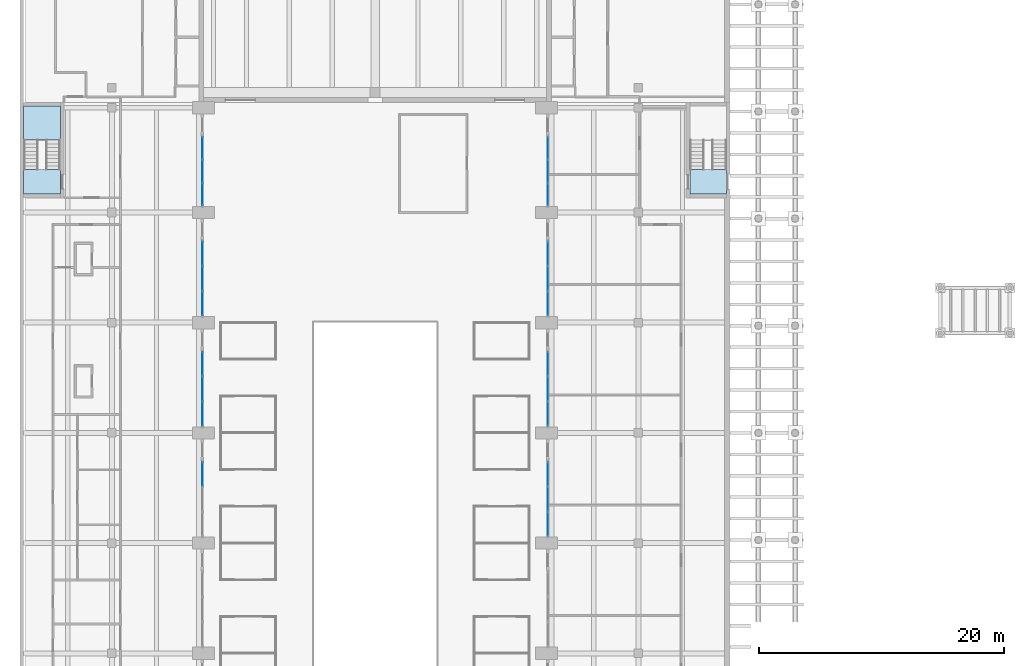
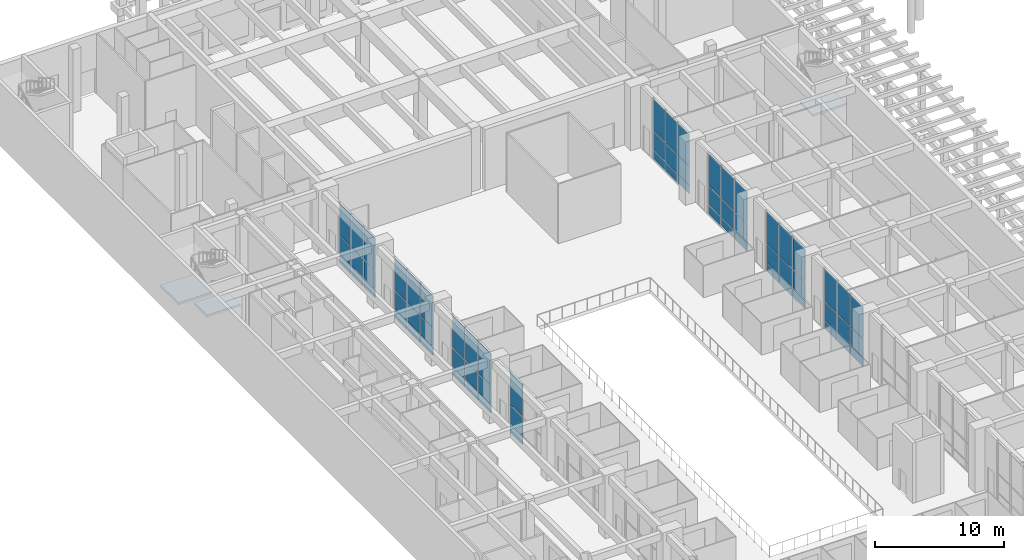
# One storey, part 26 of 51: 66 plates, 3 slabs, 10 elements without a shape of their own.
"""IFC4 building model written with IfcOpenShell, lengths in metres."""

import ifcopenshell
import ifcopenshell.guid

model = None  # the IFC model being written
_history = None  # IfcOwnerHistory: only IFC2X3 demands one
_inside = {}  # id of a spatial element -> (the spatial element, [elements in it])
_under = {}  # id of a project, library or spatial element -> (it, [spatial elements below it])
_declared = {}  # id of a project -> (the project, [libraries it declares])
_typed = {}  # id of a type object -> (the type object, [elements of that type])
_made_of = {}  # id of a material, layer set ... -> (it, [elements and type objects made of it])


def new_model(schema):
    """Start an empty IFC model of exactly this schema.

    Asked for "IFC4X3", IfcOpenShell would pick the latest addendum, in which some entities
    have other attributes; the version numbers below select the first issue.
    IFC2X3 requires an IfcOwnerHistory on every rooted entity: one is made here for all.
    """
    global model, _history
    if schema == "IFC4X3":
        model = ifcopenshell.file(schema_version=(4, 3, 0, 0))
    else:
        model = ifcopenshell.file(schema=schema)
    _inside.clear()
    _under.clear()
    _declared.clear()
    _typed.clear()
    _made_of.clear()
    _history = None
    if model.schema == "IFC2X3":
        org = make("IfcOrganization", Name="unknown")
        user = make(
            "IfcPersonAndOrganization",
            ThePerson=make("IfcPerson", FamilyName="unknown"),
            TheOrganization=org,
        )
        app = make(
            "IfcApplication",
            ApplicationDeveloper=org,
            Version="unknown",
            ApplicationFullName="unknown",
            ApplicationIdentifier="unknown",
        )
        _history = make(
            "IfcOwnerHistory",
            OwningUser=user,
            OwningApplication=app,
            ChangeAction="ADDED",
            CreationDate=0,
        )
    return model


def make(cls, **values):
    """One entity of the class cls with the attributes given. An attribute that is None is left unset."""
    return model.create_entity(
        cls, **{name: value for name, value in values.items() if value is not None}
    )


def rooted(cls, **values):
    """An entity with a GlobalId (a new one), such as an element, a storey or a relation."""
    return make(cls, GlobalId=ifcopenshell.guid.new(), OwnerHistory=_history, **values)


def si_unit(unit_type, name, prefix=None):
    """IfcSIUnit, for example si_unit("LENGTHUNIT", "METRE", prefix="MILLI")."""
    return make("IfcSIUnit", UnitType=unit_type, Prefix=prefix, Name=name)


def assignment(units):
    """IfcUnitAssignment: the units of a project."""
    return None if units is None else make("IfcUnitAssignment", Units=units)


def point(xyz):
    """IfcCartesianPoint."""
    return None if xyz is None else make("IfcCartesianPoint", Coordinates=xyz)


def direction(xyz):
    """IfcDirection."""
    return None if xyz is None else make("IfcDirection", DirectionRatios=xyz)


def frame(location, z_axis=None, x_axis=None):
    """IfcAxis2Placement3D, a coordinate frame: its origin and axes. An axis left out is left unset."""
    return make(
        "IfcAxis2Placement3D",
        Location=point(location),
        Axis=direction(z_axis),
        RefDirection=direction(x_axis),
    )


def frame_2d(location, x_axis=None):
    """IfcAxis2Placement2D, a coordinate frame in the plane: its origin and x axis."""
    return make(
        "IfcAxis2Placement2D", Location=point(location), RefDirection=direction(x_axis)
    )


def origin():
    """The frame at (0, 0, 0) with its axes left unset."""
    return frame((0.0, 0.0, 0.0))


def origin_2d():
    """The frame at (0, 0) in the plane with its x axis left unset."""
    return frame_2d((0.0, 0.0))


def place(relative_to, where):
    """IfcLocalPlacement: puts the frame where relative to a parent placement (None: the world)."""
    return make(
        "IfcLocalPlacement", PlacementRelTo=relative_to, RelativePlacement=where
    )


def context(
    kind, dimensions, precision=None, world=None, true_north=None, identifier=None
):
    """IfcGeometricRepresentationContext, for example the 3D "Model" context."""
    return make(
        "IfcGeometricRepresentationContext",
        ContextIdentifier=identifier,
        ContextType=kind,
        CoordinateSpaceDimension=dimensions,
        Precision=precision,
        WorldCoordinateSystem=world,
        TrueNorth=true_north,
    )


def subcontext(parent, identifier, kind, view, scale=None):
    """IfcGeometricRepresentationSubContext, for example "Body" below "Model"."""
    return make(
        "IfcGeometricRepresentationSubContext",
        ContextIdentifier=identifier,
        ContextType=kind,
        ParentContext=parent,
        TargetScale=scale,
        TargetView=view,
    )


def project(units=None, contexts=None):
    """IfcProject with its units and contexts."""
    return rooted(
        "IfcProject",
        Name="project",
        RepresentationContexts=contexts,
        UnitsInContext=assignment(units),
    )


def spatial(cls, under=None, at=None, **own):
    """A site, building, storey or space (cls), placed at a placement, below another one or the project."""
    s = rooted(cls, ObjectPlacement=at, **own)
    if under is not None:
        _under.setdefault(under.id(), (under, []))[1].append(s)
    return s


def polyline(points):
    """IfcPolyline through the points."""
    return make("IfcPolyline", Points=[point(p) for p in points])


def profile(cls, at=None, kind="AREA", **sizes):
    """A parametric profile (cls). Its sizes go by their IFC names, for example OverallWidth=200.0."""
    return make(cls, ProfileType=kind, Position=at, **sizes)


def rectangle(**sizes):
    """IfcRectangleProfileDef."""
    return profile("IfcRectangleProfileDef", **sizes)


def outline(outer, holes=None, kind="AREA"):
    """IfcArbitraryClosedProfileDef: a profile drawn as a closed curve; with holes, ...WithVoids."""
    if holes is None:
        return make("IfcArbitraryClosedProfileDef", ProfileType=kind, OuterCurve=outer)
    return make(
        "IfcArbitraryProfileDefWithVoids",
        ProfileType=kind,
        OuterCurve=outer,
        InnerCurves=holes,
    )


def extrude(swept, where, along, depth):
    """IfcExtrudedAreaSolid: the profile swept, set in the frame where, extruded along a direction by depth."""
    return make(
        "IfcExtrudedAreaSolid",
        SweptArea=swept,
        Position=where,
        ExtrudedDirection=direction(along),
        Depth=depth,
    )


def shape(context_of_items, identifier, shape_type, items):
    """IfcShapeRepresentation: the items that make up one representation, for example the "Body"."""
    return make(
        "IfcShapeRepresentation",
        ContextOfItems=context_of_items,
        RepresentationIdentifier=identifier,
        RepresentationType=shape_type,
        Items=items,
    )


def material(Name=None, Category=None):
    """IfcMaterial."""
    return make("IfcMaterial", Name=Name, Category=Category)


def layer(
    of_material, thickness, ventilated=None, Name=None, Category=None, Priority=None
):
    """IfcMaterialLayer: one layer of a wall or slab, of a material (None: an air gap)."""
    return make(
        "IfcMaterialLayer",
        Material=of_material,
        LayerThickness=thickness,
        IsVentilated=ventilated,
        Name=Name,
        Category=Category,
        Priority=Priority,
    )


def layer_set(layers, Name=None):
    """IfcMaterialLayerSet."""
    return make("IfcMaterialLayerSet", MaterialLayers=layers, LayerSetName=Name)


def made_of(thing, what):
    """Note that an element or type object is made of a material, layer set ...; save() writes the relation."""
    if what is not None:
        _made_of.setdefault(what.id(), (what, []))[1].append(thing)
    return thing


def type_object(cls, material=None, **own):
    """A type object (cls), such as IfcWallType, which elements share."""
    return made_of(rooted(cls, **own), material)


def element(
    cls,
    number,
    at=None,
    inside=None,
    cuts=None,
    type_object=None,
    material=None,
    context=None,
    identifier="Body",
    shape_type=None,
    held_by="IfcProductDefinitionShape",
    body=None,
    shapes=None,
    **own,
):
    """One element of the class cls, such as IfcWall. Its Tag is "e" and its number.

    at: its placement. inside: the storey or other place that contains it. cuts: it is an
    opening in that element (IfcRelVoidsElement). A single representation is given by context,
    identifier, shape_type and body (its items); several are given by shapes. held_by: the class
    of the entity that holds the representations. save() writes the other relations.
    """
    e = rooted(cls, Tag="e%d" % number, ObjectPlacement=at, **own)
    if body is not None:
        shapes = [shape(context, identifier, shape_type, body)]
    if shapes is not None:
        e.Representation = make(held_by, Representations=shapes)
    if inside is not None:
        _inside.setdefault(inside.id(), (inside, []))[1].append(e)
    if cuts is not None:
        rooted(
            "IfcRelVoidsElement", RelatingBuildingElement=cuts, RelatedOpeningElement=e
        )
    if type_object is not None:
        _typed.setdefault(type_object.id(), (type_object, []))[1].append(e)
    return made_of(e, material)


def aggregate(whole, parts):
    """IfcRelAggregates: a whole, such as a stair, and the parts it consists of."""
    return rooted("IfcRelAggregates", RelatingObject=whole, RelatedObjects=parts)


def save(model, path):
    """Write the relations noted so far, then the file.

    IfcRelAggregates (storeys below a building ...), IfcRelContainedInSpatialStructure (elements
    in a storey), IfcRelDefinesByType, IfcRelAssociatesMaterial and IfcRelDeclares: one each for
    every whole, place, type object, material and project.
    """
    for whole, parts in _under.values():
        aggregate(whole, parts)
    for where, things in _inside.values():
        rooted(
            "IfcRelContainedInSpatialStructure",
            RelatedElements=things,
            RelatingStructure=where,
        )
    for kind, things in _typed.values():
        rooted("IfcRelDefinesByType", RelatedObjects=things, RelatingType=kind)
    for what, things in _made_of.values():
        rooted("IfcRelAssociatesMaterial", RelatedObjects=things, RelatingMaterial=what)
    for by, libraries in _declared.values():
        rooted("IfcRelDeclares", RelatingContext=by, RelatedDefinitions=libraries)
    model.write(path)


model = new_model("IFC4")

# Units and contexts
model_context = context("Model", 3, precision=1e-05, world=origin(), true_north=direction((0.0, 1.0)))
body_context = subcontext(model_context, "Body", "Model", "MODEL_VIEW")
ifc_project = project(units=[si_unit("LENGTHUNIT", "METRE"), si_unit("AREAUNIT", "SQUARE_METRE"), si_unit("VOLUMEUNIT", "CUBIC_METRE"), si_unit("PLANEANGLEUNIT", "RADIAN"), si_unit("MASSUNIT", "GRAM", prefix="KILO")], contexts=[model_context])

# Site, building, storey
site_placement = place(None, origin())
site = spatial("IfcSite", under=ifc_project, at=site_placement, CompositionType="ELEMENT")
building_placement = place(site_placement, origin())
building = spatial("IfcBuilding", under=site, at=building_placement, Name="Elmora Arch Market Hall", CompositionType="ELEMENT")
storey_placement = place(building_placement, origin())
storey = spatial("IfcBuildingStorey", under=building, at=storey_placement, Name="L00", CompositionType="ELEMENT", Elevation=0.0)

# Curtain wall, plates
ifc_material_1 = material(Name="Aluminium", Category="aluminium")
curtain_wall_type = type_object("IfcCurtainWallType", Name="Shopfront curtain wall", PredefinedType="NOTDEFINED", material=ifc_material_1)
curtain_wall_1_placement = place(storey_placement, origin())
curtain_wall_1 = element("IfcCurtainWall", 1, at=curtain_wall_1_placement, inside=storey, type_object=curtain_wall_type, Name="Shopfront W 5", PredefinedType="NOTDEFINED")
ifc_material_2 = material(Name="Glass", Category="glass")
ifc_layer_1 = layer(ifc_material_2, 0.035888671875)
ifc_layer_set_1 = layer_set([ifc_layer_1], Name="Glass")
plate_type = type_object("IfcPlateType", Name="Laminated glass panel 36", PredefinedType="CURTAIN_PANEL", material=ifc_layer_set_1)
plate_1_placement = place(storey_placement, frame((14.89990234375, 68.6416015625, 0.074951171875), z_axis=(0.0, 0.0, 1.0), x_axis=(0.0, 1.0, 0.0)))
plate_1 = element("IfcPlate", 2, at=plate_1_placement, type_object=plate_type, Name="CW3 panel 3.1", PredefinedType="CURTAIN_PANEL", context=body_context, shape_type="SweptSolid", body=[
    extrude(rectangle(XDim=1.916748046875, YDim=0.035888671875, at=origin_2d()), origin(), (0.0, 0.0, 1.0), 0.78759765625),
])
plate_2_placement = place(storey_placement, frame((14.89990234375, 68.6416015625, 0.9375), z_axis=(0.0, 0.0, 1.0), x_axis=(0.0, 1.0, 0.0)))
plate_2 = element("IfcPlate", 3, at=plate_2_placement, type_object=plate_type, Name="CW3 panel 3.2", PredefinedType="CURTAIN_PANEL", context=body_context, shape_type="SweptSolid", body=[
    extrude(rectangle(XDim=1.916748046875, YDim=0.035888671875, at=origin_2d()), origin(), (0.0, 0.0, 1.0), 1.72509765625),
])
plate_3_placement = place(storey_placement, frame((14.89990234375, 68.6416015625, 2.7373046875), z_axis=(0.0, 0.0, 1.0), x_axis=(0.0, 1.0, 0.0)))
plate_3 = element("IfcPlate", 4, at=plate_3_placement, type_object=plate_type, Name="CW3 panel 3.3", PredefinedType="CURTAIN_PANEL", context=body_context, shape_type="SweptSolid", body=[
    extrude(rectangle(XDim=1.916748046875, YDim=0.035888671875, at=origin_2d()), origin(), (0.0, 0.0, 1.0), 2.987548828125),
])
aggregate(curtain_wall_1, [plate_1, plate_2, plate_3])

curtain_wall_2_placement = place(storey_placement, origin())
curtain_wall_2 = element("IfcCurtainWall", 5, at=curtain_wall_2_placement, inside=storey, type_object=curtain_wall_type, Name="Shopfront W 6", PredefinedType="NOTDEFINED")
plate_4_placement = place(storey_placement, frame((14.89990234375, 73.558349609375, 0.074951171875), z_axis=(0.0, 0.0, 1.0), x_axis=(0.0, 1.0, 0.0)))
plate_4 = element("IfcPlate", 6, at=plate_4_placement, type_object=plate_type, Name="CW3 panel 1.1", PredefinedType="CURTAIN_PANEL", context=body_context, shape_type="SweptSolid", body=[
    extrude(rectangle(XDim=1.916748046875, YDim=0.035888671875, at=origin_2d()), origin(), (0.0, 0.0, 1.0), 0.78759765625),
])
plate_5_placement = place(storey_placement, frame((14.89990234375, 73.558349609375, 0.9375), z_axis=(0.0, 0.0, 1.0), x_axis=(0.0, 1.0, 0.0)))
plate_5 = element("IfcPlate", 7, at=plate_5_placement, type_object=plate_type, Name="CW3 panel 1.2", PredefinedType="CURTAIN_PANEL", context=body_context, shape_type="SweptSolid", body=[
    extrude(rectangle(XDim=1.916748046875, YDim=0.035888671875, at=origin_2d()), origin(), (0.0, 0.0, 1.0), 1.72509765625),
])
plate_6_placement = place(storey_placement, frame((14.89990234375, 73.558349609375, 2.7373046875), z_axis=(0.0, 0.0, 1.0), x_axis=(0.0, 1.0, 0.0)))
plate_6 = element("IfcPlate", 8, at=plate_6_placement, type_object=plate_type, Name="CW3 panel 1.3", PredefinedType="CURTAIN_PANEL", context=body_context, shape_type="SweptSolid", body=[
    extrude(rectangle(XDim=1.916748046875, YDim=0.035888671875, at=origin_2d()), origin(), (0.0, 0.0, 1.0), 2.987548828125),
])
plate_7_placement = place(storey_placement, frame((14.89990234375, 75.60009765625, 0.074951171875), z_axis=(0.0, 0.0, 1.0), x_axis=(0.0, 1.0, 0.0)))
plate_7 = element("IfcPlate", 9, at=plate_7_placement, type_object=plate_type, Name="CW3 panel 2.1", PredefinedType="CURTAIN_PANEL", context=body_context, shape_type="SweptSolid", body=[
    extrude(rectangle(XDim=1.966552734375, YDim=0.035888671875, at=origin_2d()), origin(), (0.0, 0.0, 1.0), 0.78759765625),
])
plate_8_placement = place(storey_placement, frame((14.89990234375, 75.60009765625, 0.9375), z_axis=(0.0, 0.0, 1.0), x_axis=(0.0, 1.0, 0.0)))
plate_8 = element("IfcPlate", 10, at=plate_8_placement, type_object=plate_type, Name="CW3 panel 2.2", PredefinedType="CURTAIN_PANEL", context=body_context, shape_type="SweptSolid", body=[
    extrude(rectangle(XDim=1.966552734375, YDim=0.035888671875, at=origin_2d()), origin(), (0.0, 0.0, 1.0), 1.72509765625),
])
plate_9_placement = place(storey_placement, frame((14.89990234375, 75.60009765625, 2.7373046875), z_axis=(0.0, 0.0, 1.0), x_axis=(0.0, 1.0, 0.0)))
plate_9 = element("IfcPlate", 11, at=plate_9_placement, type_object=plate_type, Name="CW3 panel 2.3", PredefinedType="CURTAIN_PANEL", context=body_context, shape_type="SweptSolid", body=[
    extrude(rectangle(XDim=1.966552734375, YDim=0.035888671875, at=origin_2d()), origin(), (0.0, 0.0, 1.0), 2.987548828125),
])
plate_10_placement = place(storey_placement, frame((14.89990234375, 77.6416015625, 0.074951171875), z_axis=(0.0, 0.0, 1.0), x_axis=(0.0, 1.0, 0.0)))
plate_10 = element("IfcPlate", 12, at=plate_10_placement, type_object=plate_type, Name="CW3 panel 3.1", PredefinedType="CURTAIN_PANEL", context=body_context, shape_type="SweptSolid", body=[
    extrude(rectangle(XDim=1.916748046875, YDim=0.035888671875, at=origin_2d()), origin(), (0.0, 0.0, 1.0), 0.78759765625),
])
plate_11_placement = place(storey_placement, frame((14.89990234375, 77.6416015625, 0.9375), z_axis=(0.0, 0.0, 1.0), x_axis=(0.0, 1.0, 0.0)))
plate_11 = element("IfcPlate", 13, at=plate_11_placement, type_object=plate_type, Name="CW3 panel 3.2", PredefinedType="CURTAIN_PANEL", context=body_context, shape_type="SweptSolid", body=[
    extrude(rectangle(XDim=1.916748046875, YDim=0.035888671875, at=origin_2d()), origin(), (0.0, 0.0, 1.0), 1.72509765625),
])
plate_12_placement = place(storey_placement, frame((14.89990234375, 77.6416015625, 2.7373046875), z_axis=(0.0, 0.0, 1.0), x_axis=(0.0, 1.0, 0.0)))
plate_12 = element("IfcPlate", 14, at=plate_12_placement, type_object=plate_type, Name="CW3 panel 3.3", PredefinedType="CURTAIN_PANEL", context=body_context, shape_type="SweptSolid", body=[
    extrude(rectangle(XDim=1.916748046875, YDim=0.035888671875, at=origin_2d()), origin(), (0.0, 0.0, 1.0), 2.987548828125),
])
aggregate(curtain_wall_2, [plate_4, plate_5, plate_6, plate_7, plate_8, plate_9, plate_10, plate_11, plate_12])

curtain_wall_3_placement = place(storey_placement, origin())
curtain_wall_3 = element("IfcCurtainWall", 15, at=curtain_wall_3_placement, inside=storey, type_object=curtain_wall_type, Name="Shopfront W 7", PredefinedType="NOTDEFINED")
plate_13_placement = place(storey_placement, frame((14.89990234375, 82.558349609375, 0.074951171875), z_axis=(0.0, 0.0, 1.0), x_axis=(0.0, 1.0, 0.0)))
plate_13 = element("IfcPlate", 16, at=plate_13_placement, type_object=plate_type, Name="CW3 panel 1.1", PredefinedType="CURTAIN_PANEL", context=body_context, shape_type="SweptSolid", body=[
    extrude(rectangle(XDim=1.916748046875, YDim=0.035888671875, at=origin_2d()), origin(), (0.0, 0.0, 1.0), 0.78759765625),
])
plate_14_placement = place(storey_placement, frame((14.89990234375, 82.558349609375, 0.9375), z_axis=(0.0, 0.0, 1.0), x_axis=(0.0, 1.0, 0.0)))
plate_14 = element("IfcPlate", 17, at=plate_14_placement, type_object=plate_type, Name="CW3 panel 1.2", PredefinedType="CURTAIN_PANEL", context=body_context, shape_type="SweptSolid", body=[
    extrude(rectangle(XDim=1.916748046875, YDim=0.035888671875, at=origin_2d()), origin(), (0.0, 0.0, 1.0), 1.72509765625),
])
plate_15_placement = place(storey_placement, frame((14.89990234375, 82.558349609375, 2.7373046875), z_axis=(0.0, 0.0, 1.0), x_axis=(0.0, 1.0, 0.0)))
plate_15 = element("IfcPlate", 18, at=plate_15_placement, type_object=plate_type, Name="CW3 panel 1.3", PredefinedType="CURTAIN_PANEL", context=body_context, shape_type="SweptSolid", body=[
    extrude(rectangle(XDim=1.916748046875, YDim=0.035888671875, at=origin_2d()), origin(), (0.0, 0.0, 1.0), 2.987548828125),
])
plate_16_placement = place(storey_placement, frame((14.89990234375, 84.60009765625, 0.074951171875), z_axis=(0.0, 0.0, 1.0), x_axis=(0.0, 1.0, 0.0)))
plate_16 = element("IfcPlate", 19, at=plate_16_placement, type_object=plate_type, Name="CW3 panel 2.1", PredefinedType="CURTAIN_PANEL", context=body_context, shape_type="SweptSolid", body=[
    extrude(rectangle(XDim=1.966552734375, YDim=0.035888671875, at=origin_2d()), origin(), (0.0, 0.0, 1.0), 0.78759765625),
])
plate_17_placement = place(storey_placement, frame((14.89990234375, 84.60009765625, 0.9375), z_axis=(0.0, 0.0, 1.0), x_axis=(0.0, 1.0, 0.0)))
plate_17 = element("IfcPlate", 20, at=plate_17_placement, type_object=plate_type, Name="CW3 panel 2.2", PredefinedType="CURTAIN_PANEL", context=body_context, shape_type="SweptSolid", body=[
    extrude(rectangle(XDim=1.966552734375, YDim=0.035888671875, at=origin_2d()), origin(), (0.0, 0.0, 1.0), 1.72509765625),
])
plate_18_placement = place(storey_placement, frame((14.89990234375, 84.60009765625, 2.7373046875), z_axis=(0.0, 0.0, 1.0), x_axis=(0.0, 1.0, 0.0)))
plate_18 = element("IfcPlate", 21, at=plate_18_placement, type_object=plate_type, Name="CW3 panel 2.3", PredefinedType="CURTAIN_PANEL", context=body_context, shape_type="SweptSolid", body=[
    extrude(rectangle(XDim=1.966552734375, YDim=0.035888671875, at=origin_2d()), origin(), (0.0, 0.0, 1.0), 2.987548828125),
])
plate_19_placement = place(storey_placement, frame((14.89990234375, 86.6416015625, 0.074951171875), z_axis=(0.0, 0.0, 1.0), x_axis=(0.0, 1.0, 0.0)))
plate_19 = element("IfcPlate", 22, at=plate_19_placement, type_object=plate_type, Name="CW3 panel 3.1", PredefinedType="CURTAIN_PANEL", context=body_context, shape_type="SweptSolid", body=[
    extrude(rectangle(XDim=1.916748046875, YDim=0.035888671875, at=origin_2d()), origin(), (0.0, 0.0, 1.0), 0.78759765625),
])
plate_20_placement = place(storey_placement, frame((14.89990234375, 86.6416015625, 0.9375), z_axis=(0.0, 0.0, 1.0), x_axis=(0.0, 1.0, 0.0)))
plate_20 = element("IfcPlate", 23, at=plate_20_placement, type_object=plate_type, Name="CW3 panel 3.2", PredefinedType="CURTAIN_PANEL", context=body_context, shape_type="SweptSolid", body=[
    extrude(rectangle(XDim=1.916748046875, YDim=0.035888671875, at=origin_2d()), origin(), (0.0, 0.0, 1.0), 1.72509765625),
])
plate_21_placement = place(storey_placement, frame((14.89990234375, 86.6416015625, 2.7373046875), z_axis=(0.0, 0.0, 1.0), x_axis=(0.0, 1.0, 0.0)))
plate_21 = element("IfcPlate", 24, at=plate_21_placement, type_object=plate_type, Name="CW3 panel 3.3", PredefinedType="CURTAIN_PANEL", context=body_context, shape_type="SweptSolid", body=[
    extrude(rectangle(XDim=1.916748046875, YDim=0.035888671875, at=origin_2d()), origin(), (0.0, 0.0, 1.0), 2.987548828125),
])
aggregate(curtain_wall_3, [plate_13, plate_14, plate_15, plate_16, plate_17, plate_18, plate_19, plate_20, plate_21])

curtain_wall_4_placement = place(storey_placement, origin())
curtain_wall_4 = element("IfcCurtainWall", 25, at=curtain_wall_4_placement, inside=storey, type_object=curtain_wall_type, Name="Shopfront W 8", PredefinedType="NOTDEFINED")
plate_22_placement = place(storey_placement, frame((14.89990234375, 91.4833984375, 0.074951171875), z_axis=(0.0, 0.0, 1.0), x_axis=(0.0, 1.0, 0.0)))
plate_22 = element("IfcPlate", 26, at=plate_22_placement, type_object=plate_type, Name="CW3 panel 1.1", PredefinedType="CURTAIN_PANEL", context=body_context, shape_type="SweptSolid", body=[
    extrude(rectangle(XDim=1.7666015625, YDim=0.035888671875, at=origin_2d()), origin(), (0.0, 0.0, 1.0), 0.78759765625),
])
plate_23_placement = place(storey_placement, frame((14.89990234375, 91.4833984375, 0.9375), z_axis=(0.0, 0.0, 1.0), x_axis=(0.0, 1.0, 0.0)))
plate_23 = element("IfcPlate", 27, at=plate_23_placement, type_object=plate_type, Name="CW3 panel 1.2", PredefinedType="CURTAIN_PANEL", context=body_context, shape_type="SweptSolid", body=[
    extrude(rectangle(XDim=1.7666015625, YDim=0.035888671875, at=origin_2d()), origin(), (0.0, 0.0, 1.0), 1.72509765625),
])
plate_24_placement = place(storey_placement, frame((14.89990234375, 91.4833984375, 2.7373046875), z_axis=(0.0, 0.0, 1.0), x_axis=(0.0, 1.0, 0.0)))
plate_24 = element("IfcPlate", 28, at=plate_24_placement, type_object=plate_type, Name="CW3 panel 1.3", PredefinedType="CURTAIN_PANEL", context=body_context, shape_type="SweptSolid", body=[
    extrude(rectangle(XDim=1.7666015625, YDim=0.035888671875, at=origin_2d()), origin(), (0.0, 0.0, 1.0), 2.987548828125),
])
plate_25_placement = place(storey_placement, frame((14.89990234375, 93.375, 0.074951171875), z_axis=(0.0, 0.0, 1.0), x_axis=(0.0, 1.0, 0.0)))
plate_25 = element("IfcPlate", 29, at=plate_25_placement, type_object=plate_type, Name="CW3 panel 2.1", PredefinedType="CURTAIN_PANEL", context=body_context, shape_type="SweptSolid", body=[
    extrude(rectangle(XDim=1.816650390625, YDim=0.035888671875, at=origin_2d()), origin(), (0.0, 0.0, 1.0), 0.78759765625),
])
plate_26_placement = place(storey_placement, frame((14.89990234375, 93.375, 0.9375), z_axis=(0.0, 0.0, 1.0), x_axis=(0.0, 1.0, 0.0)))
plate_26 = element("IfcPlate", 30, at=plate_26_placement, type_object=plate_type, Name="CW3 panel 2.2", PredefinedType="CURTAIN_PANEL", context=body_context, shape_type="SweptSolid", body=[
    extrude(rectangle(XDim=1.816650390625, YDim=0.035888671875, at=origin_2d()), origin(), (0.0, 0.0, 1.0), 1.72509765625),
])
plate_27_placement = place(storey_placement, frame((14.89990234375, 93.375, 2.7373046875), z_axis=(0.0, 0.0, 1.0), x_axis=(0.0, 1.0, 0.0)))
plate_27 = element("IfcPlate", 31, at=plate_27_placement, type_object=plate_type, Name="CW3 panel 2.3", PredefinedType="CURTAIN_PANEL", context=body_context, shape_type="SweptSolid", body=[
    extrude(rectangle(XDim=1.816650390625, YDim=0.035888671875, at=origin_2d()), origin(), (0.0, 0.0, 1.0), 2.987548828125),
])
plate_28_placement = place(storey_placement, frame((14.89990234375, 95.2666015625, 0.074951171875), z_axis=(0.0, 0.0, 1.0), x_axis=(0.0, 1.0, 0.0)))
plate_28 = element("IfcPlate", 32, at=plate_28_placement, type_object=plate_type, Name="CW3 panel 3.1", PredefinedType="CURTAIN_PANEL", context=body_context, shape_type="SweptSolid", body=[
    extrude(rectangle(XDim=1.7666015625, YDim=0.035888671875, at=origin_2d()), origin(), (0.0, 0.0, 1.0), 0.78759765625),
])
plate_29_placement = place(storey_placement, frame((14.89990234375, 95.2666015625, 0.9375), z_axis=(0.0, 0.0, 1.0), x_axis=(0.0, 1.0, 0.0)))
plate_29 = element("IfcPlate", 33, at=plate_29_placement, type_object=plate_type, Name="CW3 panel 3.2", PredefinedType="CURTAIN_PANEL", context=body_context, shape_type="SweptSolid", body=[
    extrude(rectangle(XDim=1.7666015625, YDim=0.035888671875, at=origin_2d()), origin(), (0.0, 0.0, 1.0), 1.72509765625),
])
plate_30_placement = place(storey_placement, frame((14.89990234375, 95.2666015625, 2.7373046875), z_axis=(0.0, 0.0, 1.0), x_axis=(0.0, 1.0, 0.0)))
plate_30 = element("IfcPlate", 34, at=plate_30_placement, type_object=plate_type, Name="CW3 panel 3.3", PredefinedType="CURTAIN_PANEL", context=body_context, shape_type="SweptSolid", body=[
    extrude(rectangle(XDim=1.7666015625, YDim=0.035888671875, at=origin_2d()), origin(), (0.0, 0.0, 1.0), 2.987548828125),
])
aggregate(curtain_wall_4, [plate_22, plate_23, plate_24, plate_25, plate_26, plate_27, plate_28, plate_29, plate_30])

curtain_wall_5_placement = place(storey_placement, origin())
curtain_wall_5 = element("IfcCurtainWall", 35, at=curtain_wall_5_placement, inside=storey, type_object=curtain_wall_type, Name="Shopfront E 5", PredefinedType="NOTDEFINED")
plate_31_placement = place(storey_placement, frame((43.10009765625, 64.558349609375, 0.074951171875), z_axis=(0.0, 0.0, 1.0), x_axis=(0.0, 1.0, 0.0)))
plate_31 = element("IfcPlate", 36, at=plate_31_placement, type_object=plate_type, Name="CW3 panel 1.1", PredefinedType="CURTAIN_PANEL", context=body_context, shape_type="SweptSolid", body=[
    extrude(rectangle(XDim=1.916748046875, YDim=0.035888671875, at=origin_2d()), origin(), (0.0, 0.0, 1.0), 0.78759765625),
])
plate_32_placement = place(storey_placement, frame((43.10009765625, 64.558349609375, 0.9375), z_axis=(0.0, 0.0, 1.0), x_axis=(0.0, 1.0, 0.0)))
plate_32 = element("IfcPlate", 37, at=plate_32_placement, type_object=plate_type, Name="CW3 panel 1.2", PredefinedType="CURTAIN_PANEL", context=body_context, shape_type="SweptSolid", body=[
    extrude(rectangle(XDim=1.916748046875, YDim=0.035888671875, at=origin_2d()), origin(), (0.0, 0.0, 1.0), 1.72509765625),
])
plate_33_placement = place(storey_placement, frame((43.10009765625, 64.558349609375, 2.7373046875), z_axis=(0.0, 0.0, 1.0), x_axis=(0.0, 1.0, 0.0)))
plate_33 = element("IfcPlate", 38, at=plate_33_placement, type_object=plate_type, Name="CW3 panel 1.3", PredefinedType="CURTAIN_PANEL", context=body_context, shape_type="SweptSolid", body=[
    extrude(rectangle(XDim=1.916748046875, YDim=0.035888671875, at=origin_2d()), origin(), (0.0, 0.0, 1.0), 2.987548828125),
])
plate_34_placement = place(storey_placement, frame((43.10009765625, 66.60009765625, 0.074951171875), z_axis=(0.0, 0.0, 1.0), x_axis=(0.0, 1.0, 0.0)))
plate_34 = element("IfcPlate", 39, at=plate_34_placement, type_object=plate_type, Name="CW3 panel 2.1", PredefinedType="CURTAIN_PANEL", context=body_context, shape_type="SweptSolid", body=[
    extrude(rectangle(XDim=1.966552734375, YDim=0.035888671875, at=origin_2d()), origin(), (0.0, 0.0, 1.0), 0.78759765625),
])
plate_35_placement = place(storey_placement, frame((43.10009765625, 66.60009765625, 0.9375), z_axis=(0.0, 0.0, 1.0), x_axis=(0.0, 1.0, 0.0)))
plate_35 = element("IfcPlate", 40, at=plate_35_placement, type_object=plate_type, Name="CW3 panel 2.2", PredefinedType="CURTAIN_PANEL", context=body_context, shape_type="SweptSolid", body=[
    extrude(rectangle(XDim=1.966552734375, YDim=0.035888671875, at=origin_2d()), origin(), (0.0, 0.0, 1.0), 1.72509765625),
])
plate_36_placement = place(storey_placement, frame((43.10009765625, 66.60009765625, 2.7373046875), z_axis=(0.0, 0.0, 1.0), x_axis=(0.0, 1.0, 0.0)))
plate_36 = element("IfcPlate", 41, at=plate_36_placement, type_object=plate_type, Name="CW3 panel 2.3", PredefinedType="CURTAIN_PANEL", context=body_context, shape_type="SweptSolid", body=[
    extrude(rectangle(XDim=1.966552734375, YDim=0.035888671875, at=origin_2d()), origin(), (0.0, 0.0, 1.0), 2.987548828125),
])
plate_37_placement = place(storey_placement, frame((43.10009765625, 68.6416015625, 0.074951171875), z_axis=(0.0, 0.0, 1.0), x_axis=(0.0, 1.0, 0.0)))
plate_37 = element("IfcPlate", 42, at=plate_37_placement, type_object=plate_type, Name="CW3 panel 3.1", PredefinedType="CURTAIN_PANEL", context=body_context, shape_type="SweptSolid", body=[
    extrude(rectangle(XDim=1.916748046875, YDim=0.035888671875, at=origin_2d()), origin(), (0.0, 0.0, 1.0), 0.78759765625),
])
plate_38_placement = place(storey_placement, frame((43.10009765625, 68.6416015625, 0.9375), z_axis=(0.0, 0.0, 1.0), x_axis=(0.0, 1.0, 0.0)))
plate_38 = element("IfcPlate", 43, at=plate_38_placement, type_object=plate_type, Name="CW3 panel 3.2", PredefinedType="CURTAIN_PANEL", context=body_context, shape_type="SweptSolid", body=[
    extrude(rectangle(XDim=1.916748046875, YDim=0.035888671875, at=origin_2d()), origin(), (0.0, 0.0, 1.0), 1.72509765625),
])
plate_39_placement = place(storey_placement, frame((43.10009765625, 68.6416015625, 2.7373046875), z_axis=(0.0, 0.0, 1.0), x_axis=(0.0, 1.0, 0.0)))
plate_39 = element("IfcPlate", 44, at=plate_39_placement, type_object=plate_type, Name="CW3 panel 3.3", PredefinedType="CURTAIN_PANEL", context=body_context, shape_type="SweptSolid", body=[
    extrude(rectangle(XDim=1.916748046875, YDim=0.035888671875, at=origin_2d()), origin(), (0.0, 0.0, 1.0), 2.987548828125),
])
aggregate(curtain_wall_5, [plate_31, plate_32, plate_33, plate_34, plate_35, plate_36, plate_37, plate_38, plate_39])

curtain_wall_6_placement = place(storey_placement, origin())
curtain_wall_6 = element("IfcCurtainWall", 45, at=curtain_wall_6_placement, inside=storey, type_object=curtain_wall_type, Name="Shopfront E 6", PredefinedType="NOTDEFINED")
plate_40_placement = place(storey_placement, frame((43.10009765625, 73.558349609375, 0.074951171875), z_axis=(0.0, 0.0, 1.0), x_axis=(0.0, 1.0, 0.0)))
plate_40 = element("IfcPlate", 46, at=plate_40_placement, type_object=plate_type, Name="CW3 panel 1.1", PredefinedType="CURTAIN_PANEL", context=body_context, shape_type="SweptSolid", body=[
    extrude(rectangle(XDim=1.916748046875, YDim=0.035888671875, at=origin_2d()), origin(), (0.0, 0.0, 1.0), 0.78759765625),
])
plate_41_placement = place(storey_placement, frame((43.10009765625, 73.558349609375, 0.9375), z_axis=(0.0, 0.0, 1.0), x_axis=(0.0, 1.0, 0.0)))
plate_41 = element("IfcPlate", 47, at=plate_41_placement, type_object=plate_type, Name="CW3 panel 1.2", PredefinedType="CURTAIN_PANEL", context=body_context, shape_type="SweptSolid", body=[
    extrude(rectangle(XDim=1.916748046875, YDim=0.035888671875, at=origin_2d()), origin(), (0.0, 0.0, 1.0), 1.72509765625),
])
plate_42_placement = place(storey_placement, frame((43.10009765625, 73.558349609375, 2.7373046875), z_axis=(0.0, 0.0, 1.0), x_axis=(0.0, 1.0, 0.0)))
plate_42 = element("IfcPlate", 48, at=plate_42_placement, type_object=plate_type, Name="CW3 panel 1.3", PredefinedType="CURTAIN_PANEL", context=body_context, shape_type="SweptSolid", body=[
    extrude(rectangle(XDim=1.916748046875, YDim=0.035888671875, at=origin_2d()), origin(), (0.0, 0.0, 1.0), 2.987548828125),
])
plate_43_placement = place(storey_placement, frame((43.10009765625, 75.60009765625, 0.074951171875), z_axis=(0.0, 0.0, 1.0), x_axis=(0.0, 1.0, 0.0)))
plate_43 = element("IfcPlate", 49, at=plate_43_placement, type_object=plate_type, Name="CW3 panel 2.1", PredefinedType="CURTAIN_PANEL", context=body_context, shape_type="SweptSolid", body=[
    extrude(rectangle(XDim=1.966552734375, YDim=0.035888671875, at=origin_2d()), origin(), (0.0, 0.0, 1.0), 0.78759765625),
])
plate_44_placement = place(storey_placement, frame((43.10009765625, 75.60009765625, 0.9375), z_axis=(0.0, 0.0, 1.0), x_axis=(0.0, 1.0, 0.0)))
plate_44 = element("IfcPlate", 50, at=plate_44_placement, type_object=plate_type, Name="CW3 panel 2.2", PredefinedType="CURTAIN_PANEL", context=body_context, shape_type="SweptSolid", body=[
    extrude(rectangle(XDim=1.966552734375, YDim=0.035888671875, at=origin_2d()), origin(), (0.0, 0.0, 1.0), 1.72509765625),
])
plate_45_placement = place(storey_placement, frame((43.10009765625, 75.60009765625, 2.7373046875), z_axis=(0.0, 0.0, 1.0), x_axis=(0.0, 1.0, 0.0)))
plate_45 = element("IfcPlate", 51, at=plate_45_placement, type_object=plate_type, Name="CW3 panel 2.3", PredefinedType="CURTAIN_PANEL", context=body_context, shape_type="SweptSolid", body=[
    extrude(rectangle(XDim=1.966552734375, YDim=0.035888671875, at=origin_2d()), origin(), (0.0, 0.0, 1.0), 2.987548828125),
])
plate_46_placement = place(storey_placement, frame((43.10009765625, 77.6416015625, 0.074951171875), z_axis=(0.0, 0.0, 1.0), x_axis=(0.0, 1.0, 0.0)))
plate_46 = element("IfcPlate", 52, at=plate_46_placement, type_object=plate_type, Name="CW3 panel 3.1", PredefinedType="CURTAIN_PANEL", context=body_context, shape_type="SweptSolid", body=[
    extrude(rectangle(XDim=1.916748046875, YDim=0.035888671875, at=origin_2d()), origin(), (0.0, 0.0, 1.0), 0.78759765625),
])
plate_47_placement = place(storey_placement, frame((43.10009765625, 77.6416015625, 0.9375), z_axis=(0.0, 0.0, 1.0), x_axis=(0.0, 1.0, 0.0)))
plate_47 = element("IfcPlate", 53, at=plate_47_placement, type_object=plate_type, Name="CW3 panel 3.2", PredefinedType="CURTAIN_PANEL", context=body_context, shape_type="SweptSolid", body=[
    extrude(rectangle(XDim=1.916748046875, YDim=0.035888671875, at=origin_2d()), origin(), (0.0, 0.0, 1.0), 1.72509765625),
])
plate_48_placement = place(storey_placement, frame((43.10009765625, 77.6416015625, 2.7373046875), z_axis=(0.0, 0.0, 1.0), x_axis=(0.0, 1.0, 0.0)))
plate_48 = element("IfcPlate", 54, at=plate_48_placement, type_object=plate_type, Name="CW3 panel 3.3", PredefinedType="CURTAIN_PANEL", context=body_context, shape_type="SweptSolid", body=[
    extrude(rectangle(XDim=1.916748046875, YDim=0.035888671875, at=origin_2d()), origin(), (0.0, 0.0, 1.0), 2.987548828125),
])
aggregate(curtain_wall_6, [plate_40, plate_41, plate_42, plate_43, plate_44, plate_45, plate_46, plate_47, plate_48])

curtain_wall_7_placement = place(storey_placement, origin())
curtain_wall_7 = element("IfcCurtainWall", 55, at=curtain_wall_7_placement, inside=storey, type_object=curtain_wall_type, Name="Shopfront E 7", PredefinedType="NOTDEFINED")
plate_49_placement = place(storey_placement, frame((43.10009765625, 82.558349609375, 0.074951171875), z_axis=(0.0, 0.0, 1.0), x_axis=(0.0, 1.0, 0.0)))
plate_49 = element("IfcPlate", 56, at=plate_49_placement, type_object=plate_type, Name="CW3 panel 1.1", PredefinedType="CURTAIN_PANEL", context=body_context, shape_type="SweptSolid", body=[
    extrude(rectangle(XDim=1.916748046875, YDim=0.035888671875, at=origin_2d()), origin(), (0.0, 0.0, 1.0), 0.78759765625),
])
plate_50_placement = place(storey_placement, frame((43.10009765625, 82.558349609375, 0.9375), z_axis=(0.0, 0.0, 1.0), x_axis=(0.0, 1.0, 0.0)))
plate_50 = element("IfcPlate", 57, at=plate_50_placement, type_object=plate_type, Name="CW3 panel 1.2", PredefinedType="CURTAIN_PANEL", context=body_context, shape_type="SweptSolid", body=[
    extrude(rectangle(XDim=1.916748046875, YDim=0.035888671875, at=origin_2d()), origin(), (0.0, 0.0, 1.0), 1.72509765625),
])
plate_51_placement = place(storey_placement, frame((43.10009765625, 82.558349609375, 2.7373046875), z_axis=(0.0, 0.0, 1.0), x_axis=(0.0, 1.0, 0.0)))
plate_51 = element("IfcPlate", 58, at=plate_51_placement, type_object=plate_type, Name="CW3 panel 1.3", PredefinedType="CURTAIN_PANEL", context=body_context, shape_type="SweptSolid", body=[
    extrude(rectangle(XDim=1.916748046875, YDim=0.035888671875, at=origin_2d()), origin(), (0.0, 0.0, 1.0), 2.987548828125),
])
plate_52_placement = place(storey_placement, frame((43.10009765625, 84.60009765625, 0.074951171875), z_axis=(0.0, 0.0, 1.0), x_axis=(0.0, 1.0, 0.0)))
plate_52 = element("IfcPlate", 59, at=plate_52_placement, type_object=plate_type, Name="CW3 panel 2.1", PredefinedType="CURTAIN_PANEL", context=body_context, shape_type="SweptSolid", body=[
    extrude(rectangle(XDim=1.966552734375, YDim=0.035888671875, at=origin_2d()), origin(), (0.0, 0.0, 1.0), 0.78759765625),
])
plate_53_placement = place(storey_placement, frame((43.10009765625, 84.60009765625, 0.9375), z_axis=(0.0, 0.0, 1.0), x_axis=(0.0, 1.0, 0.0)))
plate_53 = element("IfcPlate", 60, at=plate_53_placement, type_object=plate_type, Name="CW3 panel 2.2", PredefinedType="CURTAIN_PANEL", context=body_context, shape_type="SweptSolid", body=[
    extrude(rectangle(XDim=1.966552734375, YDim=0.035888671875, at=origin_2d()), origin(), (0.0, 0.0, 1.0), 1.72509765625),
])
plate_54_placement = place(storey_placement, frame((43.10009765625, 84.60009765625, 2.7373046875), z_axis=(0.0, 0.0, 1.0), x_axis=(0.0, 1.0, 0.0)))
plate_54 = element("IfcPlate", 61, at=plate_54_placement, type_object=plate_type, Name="CW3 panel 2.3", PredefinedType="CURTAIN_PANEL", context=body_context, shape_type="SweptSolid", body=[
    extrude(rectangle(XDim=1.966552734375, YDim=0.035888671875, at=origin_2d()), origin(), (0.0, 0.0, 1.0), 2.987548828125),
])
plate_55_placement = place(storey_placement, frame((43.10009765625, 86.6416015625, 0.074951171875), z_axis=(0.0, 0.0, 1.0), x_axis=(0.0, 1.0, 0.0)))
plate_55 = element("IfcPlate", 62, at=plate_55_placement, type_object=plate_type, Name="CW3 panel 3.1", PredefinedType="CURTAIN_PANEL", context=body_context, shape_type="SweptSolid", body=[
    extrude(rectangle(XDim=1.916748046875, YDim=0.035888671875, at=origin_2d()), origin(), (0.0, 0.0, 1.0), 0.78759765625),
])
plate_56_placement = place(storey_placement, frame((43.10009765625, 86.6416015625, 0.9375), z_axis=(0.0, 0.0, 1.0), x_axis=(0.0, 1.0, 0.0)))
plate_56 = element("IfcPlate", 63, at=plate_56_placement, type_object=plate_type, Name="CW3 panel 3.2", PredefinedType="CURTAIN_PANEL", context=body_context, shape_type="SweptSolid", body=[
    extrude(rectangle(XDim=1.916748046875, YDim=0.035888671875, at=origin_2d()), origin(), (0.0, 0.0, 1.0), 1.72509765625),
])
plate_57_placement = place(storey_placement, frame((43.10009765625, 86.6416015625, 2.7373046875), z_axis=(0.0, 0.0, 1.0), x_axis=(0.0, 1.0, 0.0)))
plate_57 = element("IfcPlate", 64, at=plate_57_placement, type_object=plate_type, Name="CW3 panel 3.3", PredefinedType="CURTAIN_PANEL", context=body_context, shape_type="SweptSolid", body=[
    extrude(rectangle(XDim=1.916748046875, YDim=0.035888671875, at=origin_2d()), origin(), (0.0, 0.0, 1.0), 2.987548828125),
])
aggregate(curtain_wall_7, [plate_49, plate_50, plate_51, plate_52, plate_53, plate_54, plate_55, plate_56, plate_57])

curtain_wall_8_placement = place(storey_placement, origin())
curtain_wall_8 = element("IfcCurtainWall", 65, at=curtain_wall_8_placement, inside=storey, type_object=curtain_wall_type, Name="Shopfront E 8", PredefinedType="NOTDEFINED")
plate_58_placement = place(storey_placement, frame((43.10009765625, 91.4833984375, 0.074951171875), z_axis=(0.0, 0.0, 1.0), x_axis=(0.0, 1.0, 0.0)))
plate_58 = element("IfcPlate", 66, at=plate_58_placement, type_object=plate_type, Name="CW3 panel 1.1", PredefinedType="CURTAIN_PANEL", context=body_context, shape_type="SweptSolid", body=[
    extrude(rectangle(XDim=1.7666015625, YDim=0.035888671875, at=origin_2d()), origin(), (0.0, 0.0, 1.0), 0.78759765625),
])
plate_59_placement = place(storey_placement, frame((43.10009765625, 91.4833984375, 0.9375), z_axis=(0.0, 0.0, 1.0), x_axis=(0.0, 1.0, 0.0)))
plate_59 = element("IfcPlate", 67, at=plate_59_placement, type_object=plate_type, Name="CW3 panel 1.2", PredefinedType="CURTAIN_PANEL", context=body_context, shape_type="SweptSolid", body=[
    extrude(rectangle(XDim=1.7666015625, YDim=0.035888671875, at=origin_2d()), origin(), (0.0, 0.0, 1.0), 1.72509765625),
])
plate_60_placement = place(storey_placement, frame((43.10009765625, 91.4833984375, 2.7373046875), z_axis=(0.0, 0.0, 1.0), x_axis=(0.0, 1.0, 0.0)))
plate_60 = element("IfcPlate", 68, at=plate_60_placement, type_object=plate_type, Name="CW3 panel 1.3", PredefinedType="CURTAIN_PANEL", context=body_context, shape_type="SweptSolid", body=[
    extrude(rectangle(XDim=1.7666015625, YDim=0.035888671875, at=origin_2d()), origin(), (0.0, 0.0, 1.0), 2.987548828125),
])
plate_61_placement = place(storey_placement, frame((43.10009765625, 93.375, 0.074951171875), z_axis=(0.0, 0.0, 1.0), x_axis=(0.0, 1.0, 0.0)))
plate_61 = element("IfcPlate", 69, at=plate_61_placement, type_object=plate_type, Name="CW3 panel 2.1", PredefinedType="CURTAIN_PANEL", context=body_context, shape_type="SweptSolid", body=[
    extrude(rectangle(XDim=1.816650390625, YDim=0.035888671875, at=origin_2d()), origin(), (0.0, 0.0, 1.0), 0.78759765625),
])
plate_62_placement = place(storey_placement, frame((43.10009765625, 93.375, 0.9375), z_axis=(0.0, 0.0, 1.0), x_axis=(0.0, 1.0, 0.0)))
plate_62 = element("IfcPlate", 70, at=plate_62_placement, type_object=plate_type, Name="CW3 panel 2.2", PredefinedType="CURTAIN_PANEL", context=body_context, shape_type="SweptSolid", body=[
    extrude(rectangle(XDim=1.816650390625, YDim=0.035888671875, at=origin_2d()), origin(), (0.0, 0.0, 1.0), 1.72509765625),
])
plate_63_placement = place(storey_placement, frame((43.10009765625, 93.375, 2.7373046875), z_axis=(0.0, 0.0, 1.0), x_axis=(0.0, 1.0, 0.0)))
plate_63 = element("IfcPlate", 71, at=plate_63_placement, type_object=plate_type, Name="CW3 panel 2.3", PredefinedType="CURTAIN_PANEL", context=body_context, shape_type="SweptSolid", body=[
    extrude(rectangle(XDim=1.816650390625, YDim=0.035888671875, at=origin_2d()), origin(), (0.0, 0.0, 1.0), 2.987548828125),
])
plate_64_placement = place(storey_placement, frame((43.10009765625, 95.2666015625, 0.074951171875), z_axis=(0.0, 0.0, 1.0), x_axis=(0.0, 1.0, 0.0)))
plate_64 = element("IfcPlate", 72, at=plate_64_placement, type_object=plate_type, Name="CW3 panel 3.1", PredefinedType="CURTAIN_PANEL", context=body_context, shape_type="SweptSolid", body=[
    extrude(rectangle(XDim=1.7666015625, YDim=0.035888671875, at=origin_2d()), origin(), (0.0, 0.0, 1.0), 0.78759765625),
])
plate_65_placement = place(storey_placement, frame((43.10009765625, 95.2666015625, 0.9375), z_axis=(0.0, 0.0, 1.0), x_axis=(0.0, 1.0, 0.0)))
plate_65 = element("IfcPlate", 73, at=plate_65_placement, type_object=plate_type, Name="CW3 panel 3.2", PredefinedType="CURTAIN_PANEL", context=body_context, shape_type="SweptSolid", body=[
    extrude(rectangle(XDim=1.7666015625, YDim=0.035888671875, at=origin_2d()), origin(), (0.0, 0.0, 1.0), 1.72509765625),
])
plate_66_placement = place(storey_placement, frame((43.10009765625, 95.2666015625, 2.7373046875), z_axis=(0.0, 0.0, 1.0), x_axis=(0.0, 1.0, 0.0)))
plate_66 = element("IfcPlate", 74, at=plate_66_placement, type_object=plate_type, Name="CW3 panel 3.3", PredefinedType="CURTAIN_PANEL", context=body_context, shape_type="SweptSolid", body=[
    extrude(rectangle(XDim=1.7666015625, YDim=0.035888671875, at=origin_2d()), origin(), (0.0, 0.0, 1.0), 2.987548828125),
])
aggregate(curtain_wall_8, [plate_58, plate_59, plate_60, plate_61, plate_62, plate_63, plate_64, plate_65, plate_66])

# Stair, slab
ifc_material_3 = material(Name="Concrete C40/50", Category="concrete")
stair_type = type_object("IfcStairType", Name="Exit stair 1200", PredefinedType="TWO_STRAIGHT_RUN_STAIR", material=ifc_material_3)
stair_1_placement = place(storey_placement, origin())
stair_1 = element("IfcStair", 75, at=stair_1_placement, inside=storey, type_object=stair_type, Name="Stair ST-EN L00", PredefinedType="TWO_STRAIGHT_RUN_STAIR")
ifc_material_4 = material(Name="Concrete C32/40", Category="concrete")
ifc_layer_2 = layer(ifc_material_4, 0.199951171875)
ifc_layer_set_2 = layer_set([ifc_layer_2], Name="Concrete C32/40")
slab_type = type_object("IfcSlabType", Name="Stair landing 200", PredefinedType="LANDING", material=ifc_layer_set_2)
slab_1_placement = place(storey_placement, frame((0.0, 0.0, 2.800048828125)))
slab_1 = element("IfcSlab", 76, at=slab_1_placement, type_object=slab_type, Name="Stair ST-EN L00 landing 2", PredefinedType="LANDING", context=body_context, shape_type="SweptSolid", body=[
    extrude(outline(polyline([(54.699951171875, 91.5), (57.699951171875, 91.5), (57.699951171875, 93.5), (54.699951171875, 93.5), (54.699951171875, 91.5)])), origin(), (0.0, 0.0, 1.0), 0.199951171875),
])
aggregate(stair_1, [slab_1])

# Stair, slabs
stair_2_placement = place(storey_placement, origin())
stair_2 = element("IfcStair", 77, at=stair_2_placement, inside=storey, type_object=stair_type, Name="Stair ST-WN L00", PredefinedType="TWO_STRAIGHT_RUN_STAIR")
slab_2_placement = place(storey_placement, frame((0.0, 0.0, 1.300048828125)))
slab_2 = element("IfcSlab", 78, at=slab_2_placement, type_object=slab_type, Name="Stair ST-WN L00 landing 1", PredefinedType="LANDING", context=body_context, shape_type="SweptSolid", body=[
    extrude(outline(polyline([(0.300048828125, 95.89990234375), (3.300048828125, 95.89990234375), (3.300048828125, 98.699951171875), (0.300048828125, 98.699951171875), (0.300048828125, 95.89990234375)])), origin(), (0.0, 0.0, 1.0), 0.199951171875),
])
slab_3_placement = place(storey_placement, frame((0.0, 0.0, 2.800048828125)))
slab_3 = element("IfcSlab", 79, at=slab_3_placement, type_object=slab_type, Name="Stair ST-WN L00 landing 2", PredefinedType="LANDING", context=body_context, shape_type="SweptSolid", body=[
    extrude(outline(polyline([(0.300048828125, 91.5), (3.300048828125, 91.5), (3.300048828125, 93.5), (0.300048828125, 93.5), (0.300048828125, 91.5)])), origin(), (0.0, 0.0, 1.0), 0.199951171875),
])
aggregate(stair_2, [slab_2, slab_3])

save(model, "model.ifc")
